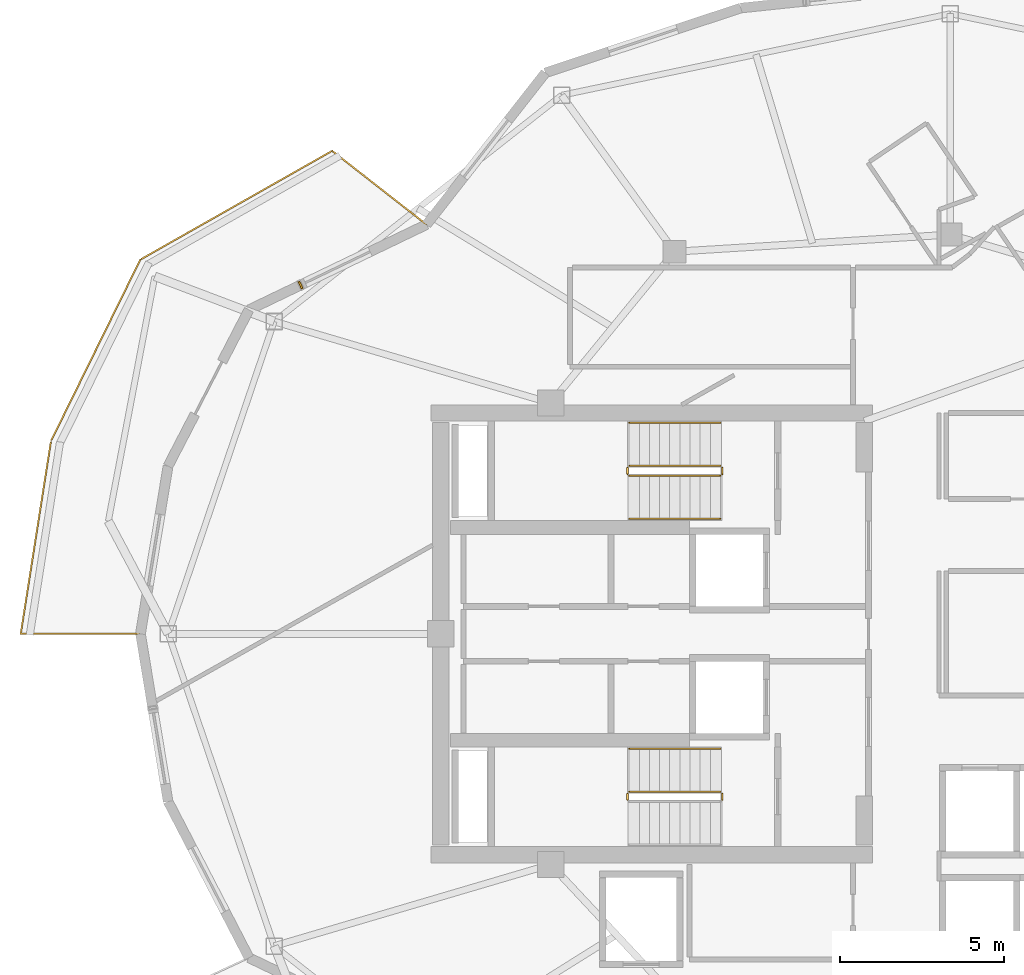
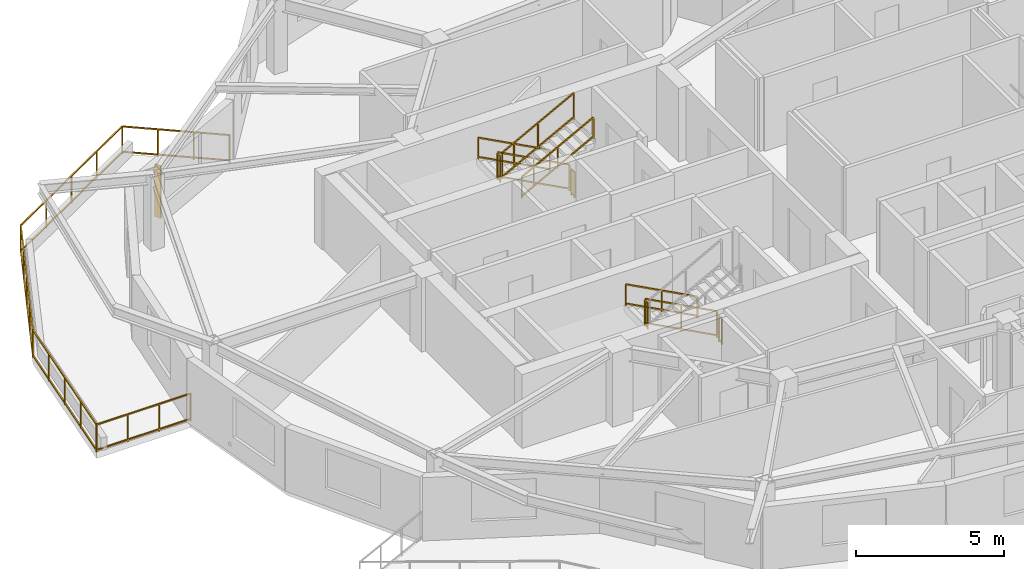
# One storey, part 11 of 13: 11 railings, 1 shading device.
"""IFC4 building model written with IfcOpenShell, lengths in metres."""

from ifc_helpers import new_model, si_unit, direction, frame, origin, origin_2d, place, context, subcontext, project, spatial, rectangle, extrude, material, type_object, element, save


model = new_model("IFC4")

# Units and contexts
model_context = context("Model", 3, precision=1e-05, world=origin(), true_north=direction((0.0, 1.0)))
body_context = subcontext(model_context, "Body", "Model", "MODEL_VIEW")
ifc_project = project(units=[si_unit("LENGTHUNIT", "METRE"), si_unit("AREAUNIT", "SQUARE_METRE"), si_unit("VOLUMEUNIT", "CUBIC_METRE"), si_unit("PLANEANGLEUNIT", "RADIAN"), si_unit("MASSUNIT", "GRAM", prefix="KILO")], contexts=[model_context])

# Site, building, storey
site_placement = place(None, origin())
site = spatial("IfcSite", under=ifc_project, at=site_placement, CompositionType="ELEMENT")
building_placement = place(site_placement, origin())
building = spatial("IfcBuilding", under=site, at=building_placement, Name="Kolvaren Gate Tower and Convention Centre", CompositionType="ELEMENT")
storey_placement = place(building_placement, frame((0.0, 0.0, 196.39990234375)))
storey = spatial("IfcBuildingStorey", under=building, at=storey_placement, Name="L51", CompositionType="ELEMENT", Elevation=196.39990234375)

# Railings
ifc_material_1 = material(Name="Brushed Stainless Steel Grade 316L", Category="steel")
railing_type_1 = type_object("IfcRailingType", Name="ARCH-RL-GUARD-1150", PredefinedType="GUARDRAIL", material=ifc_material_1)
railing_1_placement = place(storey_placement, frame((23.10009765625, 32.1298828125, 0.1650390625)))
element("IfcRailing", 1, at=railing_1_placement, inside=storey, type_object=railing_type_1, Name="L51 ST-T1 stair guard 1", PredefinedType="GUARDRAIL", context=body_context, shape_type="SweptSolid", body=[
    extrude(rectangle(XDim=0.048095703125, YDim=0.048095703125, at=origin_2d()), frame((0.0, 0.0, 1.076171875), z_axis=(-0.882735390775, 0.0, 0.469870439454), x_axis=(0.0, -1.0, 0.0)), (0.0, 0.0, 1.0), 3.16064453125),
    extrude(rectangle(XDim=0.048095703125, YDim=0.048095703125, at=origin_2d()), frame((0.0, 0.0, 0.083984375), z_axis=(-0.882735390775, 0.0, 0.469870439454), x_axis=(0.0, -1.0, 0.0)), (0.0, 0.0, 1.0), 3.16064453125),
    extrude(rectangle(XDim=0.0419921875, YDim=0.0419921875, at=origin_2d()), origin(), (0.0, 0.0, 1.0), 1.050048828125),
    extrude(rectangle(XDim=0.0419921875, YDim=0.0419921875, at=origin_2d()), frame((-2.7900390625, 0.0, 1.485107421875)), (0.0, 0.0, 1.0), 1.050048828125),
    extrude(rectangle(XDim=0.0419921875, YDim=0.0419921875, at=origin_2d()), frame((-1.39501953125, 0.0, 0.74267578125)), (0.0, 0.0, 1.0), 1.050048828125),
])
railing_2_placement = place(storey_placement, frame((20.260009765625, 32.080078125, 1.650146484375)))
element("IfcRailing", 2, at=railing_2_placement, inside=storey, type_object=railing_type_1, Name="L51 ST-T1 stair guard 2", PredefinedType="GUARDRAIL", context=body_context, shape_type="SweptSolid", body=[
    extrude(rectangle(XDim=0.048095703125, YDim=0.048095703125, at=origin_2d()), frame((0.0, 0.0, 1.076171875), z_axis=(0.0, -1.0, 0.0), x_axis=(1.0, 0.0, 0.0)), (0.0, 0.0, 1.0), 0.2001953125),
    extrude(rectangle(XDim=0.048095703125, YDim=0.048095703125, at=origin_2d()), frame((0.0, 0.0, 0.083984375), z_axis=(0.0, -1.0, 0.0), x_axis=(1.0, 0.0, 0.0)), (0.0, 0.0, 1.0), 0.2001953125),
    extrude(rectangle(XDim=0.0419921875, YDim=0.0419921875, at=origin_2d()), origin(), (0.0, 0.0, 1.0), 1.050048828125),
    extrude(rectangle(XDim=0.0419921875, YDim=0.0419921875, at=origin_2d()), frame((0.0, -0.2001953125, 0.0)), (0.0, 0.0, 1.0), 1.050048828125),
])
railing_3_placement = place(storey_placement, frame((20.31005859375, 31.830078125, 1.815185546875)))
element("IfcRailing", 3, at=railing_3_placement, inside=storey, type_object=railing_type_1, Name="L51 ST-T1 stair guard 3", PredefinedType="GUARDRAIL", context=body_context, shape_type="SweptSolid", body=[
    extrude(rectangle(XDim=0.048095703125, YDim=0.048095703125, at=origin_2d()), frame((0.0, 0.0, 1.076171875), z_axis=(0.882767428149, 0.0, 0.469810246588), x_axis=(0.0, 1.0, 0.0)), (0.0, 0.0, 1.0), 3.16064453125),
    extrude(rectangle(XDim=0.048095703125, YDim=0.048095703125, at=origin_2d()), frame((0.0, 0.0, 0.083984375), z_axis=(0.882767428149, 0.0, 0.469810246588), x_axis=(0.0, 1.0, 0.0)), (0.0, 0.0, 1.0), 3.16064453125),
    extrude(rectangle(XDim=0.0419921875, YDim=0.0419921875, at=origin_2d()), origin(), (0.0, 0.0, 1.0), 1.050048828125),
    extrude(rectangle(XDim=0.0419921875, YDim=0.0419921875, at=origin_2d()), frame((2.7900390625, 0.0, 1.48486328125)), (0.0, 0.0, 1.0), 1.050048828125),
    extrude(rectangle(XDim=0.0419921875, YDim=0.0419921875, at=origin_2d()), frame((1.39501953125, 0.0, 0.742431640625)), (0.0, 0.0, 1.0), 1.050048828125),
])
railing_4_placement = place(storey_placement, frame((23.14990234375, 32.080078125, 0.0)))
element("IfcRailing", 4, at=railing_4_placement, inside=storey, type_object=railing_type_1, Name="L51 ST-T1 stair guard 4", PredefinedType="GUARDRAIL", context=body_context, shape_type="SweptSolid", body=[
    extrude(rectangle(XDim=0.048095703125, YDim=0.048095703125, at=origin_2d()), frame((0.0, 0.0, 1.076171875), z_axis=(0.0, -1.0, 0.0), x_axis=(1.0, 0.0, 0.0)), (0.0, 0.0, 1.0), 0.2001953125),
    extrude(rectangle(XDim=0.048095703125, YDim=0.048095703125, at=origin_2d()), frame((0.0, 0.0, 0.083984375), z_axis=(0.0, -1.0, 0.0), x_axis=(1.0, 0.0, 0.0)), (0.0, 0.0, 1.0), 0.2001953125),
    extrude(rectangle(XDim=0.0419921875, YDim=0.0419921875, at=origin_2d()), origin(), (0.0, 0.0, 1.0), 1.050048828125),
    extrude(rectangle(XDim=0.0419921875, YDim=0.0419921875, at=origin_2d()), frame((0.0, -0.2001953125, 0.0)), (0.0, 0.0, 1.0), 1.050048828125),
])
railing_5_placement = place(storey_placement, frame((23.10009765625, 22.169921875, 0.1650390625)))
element("IfcRailing", 5, at=railing_5_placement, inside=storey, type_object=railing_type_1, Name="L51 ST-T2 stair guard 1", PredefinedType="GUARDRAIL", context=body_context, shape_type="SweptSolid", body=[
    extrude(rectangle(XDim=0.048095703125, YDim=0.048095703125, at=origin_2d()), frame((0.0, 0.0, 1.076171875), z_axis=(-0.882735390775, 0.0, 0.469870439454), x_axis=(0.0, -1.0, 0.0)), (0.0, 0.0, 1.0), 3.16064453125),
    extrude(rectangle(XDim=0.048095703125, YDim=0.048095703125, at=origin_2d()), frame((0.0, 0.0, 0.083984375), z_axis=(-0.882735390775, 0.0, 0.469870439454), x_axis=(0.0, -1.0, 0.0)), (0.0, 0.0, 1.0), 3.16064453125),
    extrude(rectangle(XDim=0.0419921875, YDim=0.0419921875, at=origin_2d()), origin(), (0.0, 0.0, 1.0), 1.050048828125),
    extrude(rectangle(XDim=0.0419921875, YDim=0.0419921875, at=origin_2d()), frame((-2.7900390625, 0.0, 1.485107421875)), (0.0, 0.0, 1.0), 1.050048828125),
    extrude(rectangle(XDim=0.0419921875, YDim=0.0419921875, at=origin_2d()), frame((-1.39501953125, 0.0, 0.74267578125)), (0.0, 0.0, 1.0), 1.050048828125),
])
for number, where, name in (
    (6, (20.260009765625, 22.1201171875, 1.650146484375), "L51 ST-T2 stair guard 2"),
    (7, (23.14990234375, 22.1201171875, 0.0), "L51 ST-T2 stair guard 4"),
):
    element("IfcRailing", number, at=place(storey_placement, frame(where)), inside=storey, type_object=railing_type_1, Name=name, PredefinedType="GUARDRAIL", context=body_context, shape_type="SweptSolid", body=[
        extrude(rectangle(XDim=0.048095703125, YDim=0.048095703125, at=origin_2d()), frame((0.0, 0.0, 1.076171875), z_axis=(0.0, -1.0, 0.0), x_axis=(1.0, 0.0, 0.0)), (0.0, 0.0, 1.0), 0.2001953125),
        extrude(rectangle(XDim=0.048095703125, YDim=0.048095703125, at=origin_2d()), frame((0.0, 0.0, 0.083984375), z_axis=(0.0, -1.0, 0.0), x_axis=(1.0, 0.0, 0.0)), (0.0, 0.0, 1.0), 0.2001953125),
        extrude(rectangle(XDim=0.0419921875, YDim=0.0419921875, at=origin_2d()), origin(), (0.0, 0.0, 1.0), 1.050048828125),
        extrude(rectangle(XDim=0.0419921875, YDim=0.0419921875, at=origin_2d()), frame((0.0, -0.2001953125, 0.0)), (0.0, 0.0, 1.0), 1.050048828125),
    ])
railing_6_placement = place(storey_placement, frame((14.117431640625, 39.50732421875, 0.0)))
element("IfcRailing", 8, at=railing_6_placement, inside=storey, type_object=railing_type_1, Name="Tower L51 Terrace Perimeter Guardrail GR-2", PredefinedType="GUARDRAIL", context=body_context, shape_type="SweptSolid", body=[
    extrude(rectangle(XDim=0.048095703125, YDim=0.048095703125, at=origin_2d()), frame((-0.022216796875, 0.017333984375, 1.1259765625), z_axis=(-0.787988976981, 0.61568934712, 0.0), x_axis=(-0.61568934712, -0.787988976981, 0.0)), (0.0, 0.0, 1.0), 3.60400390625),
    extrude(rectangle(XDim=0.048095703125, YDim=0.048095703125, at=origin_2d()), frame((-0.022216796875, 0.017333984375, 0.083984375), z_axis=(-0.787988976981, 0.61568934712, 0.0), x_axis=(-0.61568934712, -0.787988976981, 0.0)), (0.0, 0.0, 1.0), 3.60400390625),
    extrude(rectangle(XDim=0.048095703125, YDim=0.048095703125, at=origin_2d()), frame((-2.908447265625, 2.239501953125, 1.1259765625), z_axis=(-0.869876155964, -0.493270182846, 0.0), x_axis=(0.493270182846, -0.869876155964, 0.0)), (0.0, 0.0, 1.0), 6.6865234375),
    extrude(rectangle(XDim=0.048095703125, YDim=0.048095703125, at=origin_2d()), frame((-2.908447265625, 2.239501953125, 0.083984375), z_axis=(-0.869876155964, -0.493270182846, 0.0), x_axis=(0.493270182846, -0.869876155964, 0.0)), (0.0, 0.0, 1.0), 6.6865234375),
    extrude(rectangle(XDim=0.048095703125, YDim=0.048095703125, at=origin_2d()), frame((-8.76171875, -1.09765625, 1.1259765625), z_axis=(-0.441625304244, -0.897199582396, 0.0), x_axis=(0.897199582396, -0.441625304244, 0.0)), (0.0, 0.0, 1.0), 6.122314453125),
    extrude(rectangle(XDim=0.048095703125, YDim=0.048095703125, at=origin_2d()), frame((-8.76171875, -1.09765625, 0.083984375), z_axis=(-0.441625304244, -0.897199582396, 0.0), x_axis=(0.897199582396, -0.441625304244, 0.0)), (0.0, 0.0, 1.0), 6.122314453125),
    extrude(rectangle(XDim=0.048095703125, YDim=0.048095703125, at=origin_2d()), frame((-11.482177734375, -6.643310546875, 1.1259765625), z_axis=(-0.155031225865, -0.987909570258, 0.0), x_axis=(0.987909570258, -0.155031225865, 0.0)), (0.0, 0.0, 1.0), 5.90771484375),
    extrude(rectangle(XDim=0.048095703125, YDim=0.048095703125, at=origin_2d()), frame((-11.482177734375, -6.643310546875, 0.083984375), z_axis=(-0.155031225865, -0.987909570258, 0.0), x_axis=(0.987909570258, -0.155031225865, 0.0)), (0.0, 0.0, 1.0), 5.90771484375),
    extrude(rectangle(XDim=0.048095703125, YDim=0.048095703125, at=origin_2d()), frame((-12.374267578125, -12.50732421875, 1.1259765625), z_axis=(1.0, 0.0, 0.0), x_axis=(0.0, 1.0, 0.0)), (0.0, 0.0, 1.0), 3.603759765625),
    extrude(rectangle(XDim=0.048095703125, YDim=0.048095703125, at=origin_2d()), frame((-12.374267578125, -12.50732421875, 0.083984375), z_axis=(1.0, 0.0, 0.0), x_axis=(0.0, 1.0, 0.0)), (0.0, 0.0, 1.0), 3.603759765625),
    extrude(rectangle(XDim=0.0419921875, YDim=0.0419921875, at=origin_2d()), origin(), (0.0, 0.0, 1.0), 1.14990234375),
    extrude(rectangle(XDim=0.0419921875, YDim=0.0419921875, at=origin_2d()), frame((-2.884033203125, 2.25341796875, 0.0)), (0.0, 0.0, 1.0), 1.14990234375),
    extrude(rectangle(XDim=0.0419921875, YDim=0.0419921875, at=origin_2d()), frame((-0.96142578125, 0.751220703125, 0.0)), (0.0, 0.0, 1.0), 1.099853515625),
    extrude(rectangle(XDim=0.0419921875, YDim=0.0419921875, at=origin_2d()), frame((-1.922607421875, 1.502197265625, 0.0)), (0.0, 0.0, 1.0), 1.099853515625),
    extrude(rectangle(XDim=0.0419921875, YDim=0.0419921875, at=origin_2d()), frame((-8.749267578125, -1.072509765625, 0.0)), (0.0, 0.0, 1.0), 1.14990234375),
    extrude(rectangle(XDim=0.0419921875, YDim=0.0419921875, at=origin_2d()), frame((-4.350341796875, 1.421875, 0.0)), (0.0, 0.0, 1.0), 1.099853515625),
    extrude(rectangle(XDim=0.0419921875, YDim=0.0419921875, at=origin_2d()), frame((-5.816650390625, 0.59033203125, 0.0)), (0.0, 0.0, 1.0), 1.099853515625),
    extrude(rectangle(XDim=0.0419921875, YDim=0.0419921875, at=origin_2d()), frame((-7.282958984375, -0.240966796875, 0.0)), (0.0, 0.0, 1.0), 1.099853515625),
    extrude(rectangle(XDim=0.0419921875, YDim=0.0419921875, at=origin_2d()), frame((-11.477783203125, -6.61572265625, 0.0)), (0.0, 0.0, 1.0), 1.14990234375),
    extrude(rectangle(XDim=0.0419921875, YDim=0.0419921875, at=origin_2d()), frame((-9.431396484375, -2.458251953125, 0.0)), (0.0, 0.0, 1.0), 1.099853515625),
    extrude(rectangle(XDim=0.0419921875, YDim=0.0419921875, at=origin_2d()), frame((-10.113525390625, -3.84423828125, 0.0)), (0.0, 0.0, 1.0), 1.099853515625),
    extrude(rectangle(XDim=0.0419921875, YDim=0.0419921875, at=origin_2d()), frame((-10.795654296875, -5.22998046875, 0.0)), (0.0, 0.0, 1.0), 1.099853515625),
    extrude(rectangle(XDim=0.0419921875, YDim=0.0419921875, at=origin_2d()), frame((-12.40234375, -12.50732421875, 0.0)), (0.0, 0.0, 1.0), 1.14990234375),
    extrude(rectangle(XDim=0.0419921875, YDim=0.0419921875, at=origin_2d()), frame((-11.708984375, -8.088623046875, 0.0)), (0.0, 0.0, 1.0), 1.099853515625),
    extrude(rectangle(XDim=0.0419921875, YDim=0.0419921875, at=origin_2d()), frame((-11.93994140625, -9.5615234375, 0.0)), (0.0, 0.0, 1.0), 1.099853515625),
    extrude(rectangle(XDim=0.0419921875, YDim=0.0419921875, at=origin_2d()), frame((-12.171142578125, -11.034423828125, 0.0)), (0.0, 0.0, 1.0), 1.099853515625),
    extrude(rectangle(XDim=0.0419921875, YDim=0.0419921875, at=origin_2d()), frame((-8.742431640625, -12.50732421875, 0.0)), (0.0, 0.0, 1.0), 1.14990234375),
    extrude(rectangle(XDim=0.0419921875, YDim=0.0419921875, at=origin_2d()), frame((-11.182373046875, -12.50732421875, 0.0)), (0.0, 0.0, 1.0), 1.099853515625),
    extrude(rectangle(XDim=0.0419921875, YDim=0.0419921875, at=origin_2d()), frame((-9.96240234375, -12.50732421875, 0.0)), (0.0, 0.0, 1.0), 1.099853515625),
])
railing_type_2 = type_object("IfcRailingType", Name="ARCH-RL-HANDRAIL-920", PredefinedType="HANDRAIL", material=ifc_material_1)
railing_7_placement = place(storey_placement, frame((23.10009765625, 33.449951171875, 0.1650390625)))
element("IfcRailing", 9, at=railing_7_placement, inside=storey, type_object=railing_type_2, Name="L51 ST-T1 stair handrail 1", PredefinedType="HANDRAIL", context=body_context, shape_type="SweptSolid", body=[
    extrude(rectangle(XDim=0.048095703125, YDim=0.048095703125, at=origin_2d()), frame((0.0, 0.0, 0.8759765625), z_axis=(-0.882735390775, 0.0, 0.469870439454), x_axis=(0.0, -1.0, 0.0)), (0.0, 0.0, 1.0), 3.16064453125),
    extrude(rectangle(XDim=0.048095703125, YDim=0.048095703125, at=origin_2d()), frame((0.0, 0.0, 0.083984375), z_axis=(-0.882735390775, 0.0, 0.469870439454), x_axis=(0.0, -1.0, 0.0)), (0.0, 0.0, 1.0), 3.16064453125),
    extrude(rectangle(XDim=0.0419921875, YDim=0.0419921875, at=origin_2d()), origin(), (0.0, 0.0, 1.0), 0.849853515625),
    extrude(rectangle(XDim=0.0419921875, YDim=0.0419921875, at=origin_2d()), frame((-2.7900390625, 0.0, 1.485107421875)), (0.0, 0.0, 1.0), 0.849853515625),
    extrude(rectangle(XDim=0.0419921875, YDim=0.0419921875, at=origin_2d()), frame((-1.39501953125, 0.0, 0.74267578125)), (0.0, 0.0, 1.0), 0.849853515625),
])
railing_8_placement = place(storey_placement, frame((20.31005859375, 30.510009765625, 1.815185546875)))
element("IfcRailing", 10, at=railing_8_placement, inside=storey, type_object=railing_type_2, Name="L51 ST-T1 stair handrail 2", PredefinedType="HANDRAIL", context=body_context, shape_type="SweptSolid", body=[
    extrude(rectangle(XDim=0.048095703125, YDim=0.048095703125, at=origin_2d()), frame((0.0, 0.0, 0.8759765625), z_axis=(0.882767428149, 0.0, 0.469810246588), x_axis=(0.0, 1.0, 0.0)), (0.0, 0.0, 1.0), 3.16064453125),
    extrude(rectangle(XDim=0.048095703125, YDim=0.048095703125, at=origin_2d()), frame((0.0, 0.0, 0.083984375), z_axis=(0.882767428149, 0.0, 0.469810246588), x_axis=(0.0, 1.0, 0.0)), (0.0, 0.0, 1.0), 3.16064453125),
    extrude(rectangle(XDim=0.0419921875, YDim=0.0419921875, at=origin_2d()), origin(), (0.0, 0.0, 1.0), 0.849853515625),
    extrude(rectangle(XDim=0.0419921875, YDim=0.0419921875, at=origin_2d()), frame((2.7900390625, 0.0, 1.48486328125)), (0.0, 0.0, 1.0), 0.849853515625),
    extrude(rectangle(XDim=0.0419921875, YDim=0.0419921875, at=origin_2d()), frame((1.39501953125, 0.0, 0.742431640625)), (0.0, 0.0, 1.0), 0.849853515625),
])
railing_9_placement = place(storey_placement, frame((23.10009765625, 23.489990234375, 0.1650390625)))
element("IfcRailing", 11, at=railing_9_placement, inside=storey, type_object=railing_type_2, Name="L51 ST-T2 stair handrail 1", PredefinedType="HANDRAIL", context=body_context, shape_type="SweptSolid", body=[
    extrude(rectangle(XDim=0.048095703125, YDim=0.048095703125, at=origin_2d()), frame((0.0, 0.0, 0.8759765625), z_axis=(-0.882735390775, 0.0, 0.469870439454), x_axis=(0.0, -1.0, 0.0)), (0.0, 0.0, 1.0), 3.16064453125),
    extrude(rectangle(XDim=0.048095703125, YDim=0.048095703125, at=origin_2d()), frame((0.0, 0.0, 0.083984375), z_axis=(-0.882735390775, 0.0, 0.469870439454), x_axis=(0.0, -1.0, 0.0)), (0.0, 0.0, 1.0), 3.16064453125),
    extrude(rectangle(XDim=0.0419921875, YDim=0.0419921875, at=origin_2d()), origin(), (0.0, 0.0, 1.0), 0.849853515625),
    extrude(rectangle(XDim=0.0419921875, YDim=0.0419921875, at=origin_2d()), frame((-2.7900390625, 0.0, 1.485107421875)), (0.0, 0.0, 1.0), 0.849853515625),
    extrude(rectangle(XDim=0.0419921875, YDim=0.0419921875, at=origin_2d()), frame((-1.39501953125, 0.0, 0.74267578125)), (0.0, 0.0, 1.0), 0.849853515625),
])

# Shading device
ifc_material_2 = material(Name="Kiln-Fired Bogota Terracotta Ceramic Louvre Profile", Category="masonry")
shading_device_type = type_object("IfcShadingDeviceType", Name="ARCH-SHD-FIN-180", PredefinedType="JALOUSIE", material=ifc_material_2)
shading_device_placement = place(storey_placement, frame((10.268310546875, 37.657958984375, 0.22021484375), z_axis=(0.0, 0.0, 1.0), x_axis=(0.90135914581, 0.433072384555, 0.0)))
element("IfcShadingDevice", 12, at=shading_device_placement, inside=storey, type_object=shading_device_type, Name="Ceramic Vertical Brise-Soleil Fin FN-L51-09", PredefinedType="JALOUSIE", context=body_context, shape_type="SweptSolid", body=[
    extrude(rectangle(XDim=0.06005859375, YDim=0.239990234375, at=origin_2d()), origin(), (0.0, 0.0, 1.0), 2.14990234375),
])

save(model, "model.ifc")
